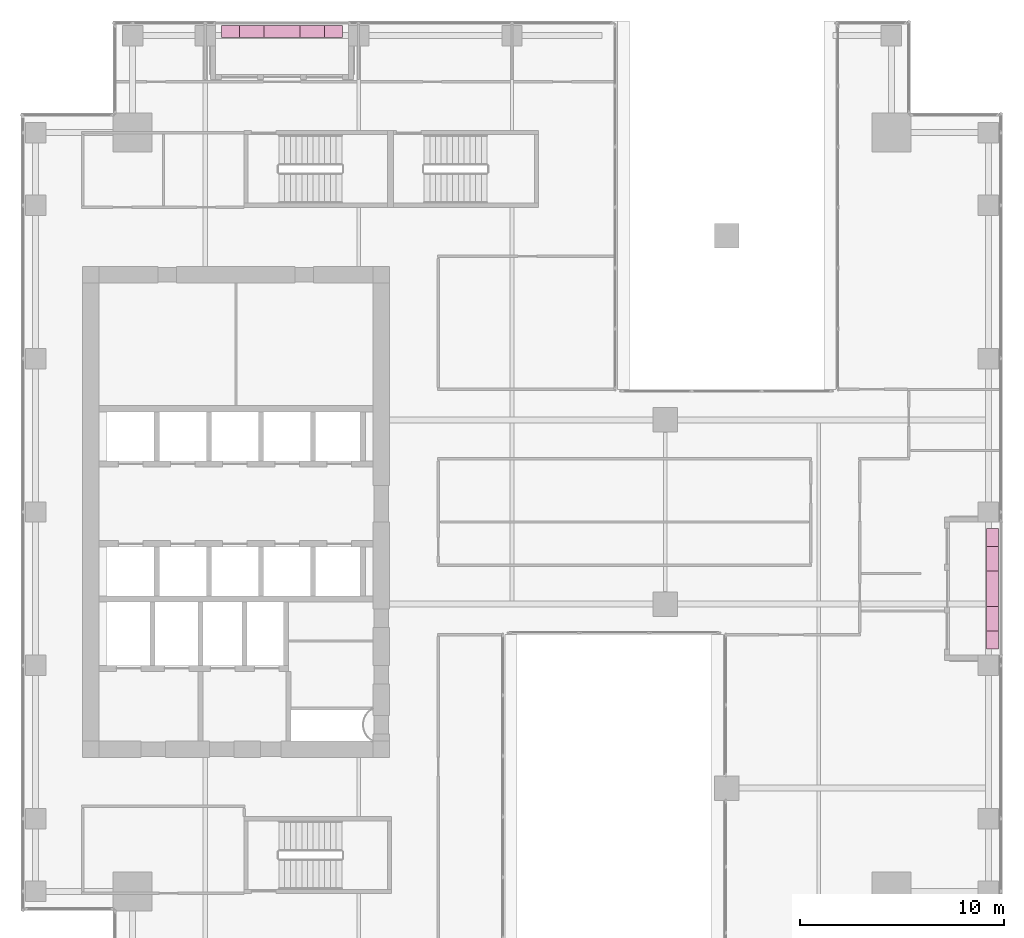
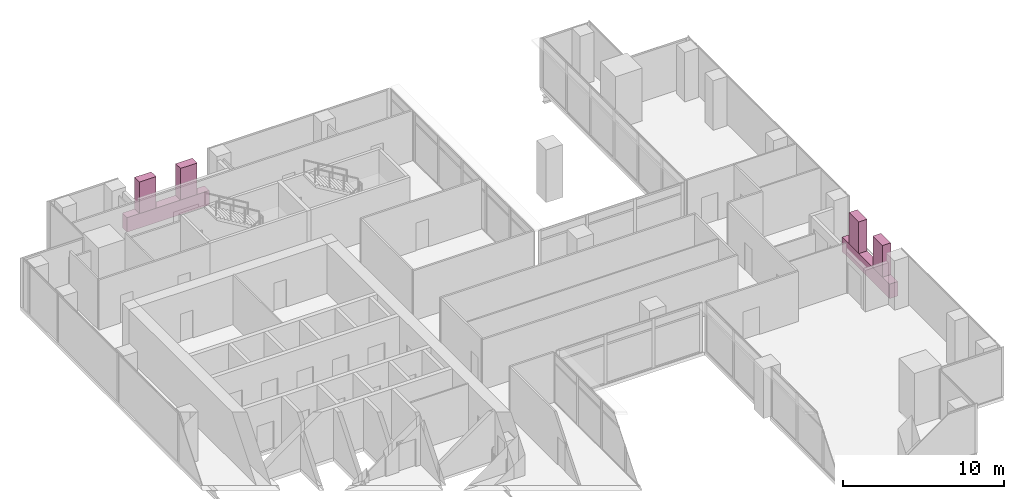
# One storey, part 38 of 38: 6 furnishings.
"""IFC4 building model written with IfcOpenShell, lengths in metres."""

from ifc_helpers import new_model, si_unit, direction, frame, origin, origin_2d, place, context, subcontext, project, spatial, rectangle, extrude, source, transform, mapped, material, type_object, element, save


model = new_model("IFC4")

# Units and contexts
model_context = context("Model", 3, precision=1e-05, world=origin(), true_north=direction((0.0, 1.0)))
body_context = subcontext(model_context, "Body", "Model", "MODEL_VIEW")
ifc_project = project(units=[si_unit("LENGTHUNIT", "METRE"), si_unit("AREAUNIT", "SQUARE_METRE"), si_unit("VOLUMEUNIT", "CUBIC_METRE"), si_unit("PLANEANGLEUNIT", "RADIAN"), si_unit("MASSUNIT", "GRAM", prefix="KILO")], contexts=[model_context])

# Site, building, storey
site_placement = place(None, origin())
site = spatial("IfcSite", under=ifc_project, at=site_placement, CompositionType="ELEMENT")
building_placement = place(site_placement, origin())
building = spatial("IfcBuilding", under=site, at=building_placement, Name="Khomas Fold Tower", CompositionType="ELEMENT")
storey_placement = place(building_placement, frame((0.0, 0.0, 172.699951171875)))
storey = spatial("IfcBuildingStorey", under=building, at=storey_placement, Name="L37", CompositionType="ELEMENT", Elevation=172.699951171875)

# Furnishings
ifc_material_1 = material(Name="Precast concrete C40/50", Category="concrete")
furnishing_element_type_1 = type_object("IfcFurnishingElementType", Name="BL-Structural planter box", material=ifc_material_1)
shared_shape_1 = source(origin(), body_context, "Body", "SweptSolid", [
    extrude(rectangle(XDim=5.89990234375, YDim=0.60009765625, at=origin_2d()), origin(), (0.0, 0.0, 1.0), 1.10009765625),
])
for number, where, z_axis, x_axis, name in (
    (1, (15.75, 50.5, -0.044921875), (0.0, 0.0, 1.0), (1.0, 0.0, 0.0), "PLANTER BAL-L37-N1"),
    (2, (50.5, 23.25, -0.044921875), (0.0, 0.0, 1.0), (0.0, 1.0, 0.0), "PLANTER BAL-L37-E2"),
):
    element("IfcFurnishingElement", number, at=place(storey_placement, frame(where, z_axis=z_axis, x_axis=x_axis)), inside=storey, type_object=furnishing_element_type_1, Name=name, context=body_context, shape_type="MappedRepresentation", body=[
        mapped(shared_shape_1, transform((0.0, 0.0, 0.0))),
    ])
ifc_material_2 = material(Name="Planting")
furnishing_element_type_2 = type_object("IfcFurnishingElementType", Name="BL-Tree Wild olive", material=ifc_material_2)
shared_shape_2 = source(origin(), body_context, "Body", "SweptSolid", [
    extrude(rectangle(XDim=1.199951171875, YDim=0.60009765625, at=origin_2d()), origin(), (0.0, 0.0, 1.0), 2.39501953125),
])
furnishing_1_placement = place(storey_placement, frame((14.27490234375, 50.5, 1.054931640625), z_axis=(0.0, 0.0, 1.0), x_axis=(1.0, 0.0, 0.0)))
element("IfcFurnishingElement", 3, at=furnishing_1_placement, inside=storey, type_object=furnishing_element_type_2, Name="PLANTER (TREE) Wild olive BAL-L37-N1-1", context=body_context, shape_type="MappedRepresentation", body=[
    mapped(shared_shape_2, transform((0.0, 0.0, 0.0))),
])
ifc_material_3 = material(Name="Planting")
furnishing_element_type_3 = type_object("IfcFurnishingElementType", Name="BL-Tree Shepherd's tree", material=ifc_material_3)
furnishing_2_placement = place(storey_placement, frame((17.22509765625, 50.5, 1.054931640625), z_axis=(0.0, 0.0, 1.0), x_axis=(1.0, 0.0, 0.0)))
element("IfcFurnishingElement", 4, at=furnishing_2_placement, inside=storey, type_object=furnishing_element_type_3, Name="PLANTER (TREE) Shepherd's tree BAL-L37-N1-2", context=body_context, shape_type="MappedRepresentation", body=[
    mapped(shared_shape_2, transform((0.0, 0.0, 0.0))),
])
furnishing_3_placement = place(storey_placement, frame((50.5, 21.77490234375, 1.054931640625), z_axis=(0.0, 0.0, 1.0), x_axis=(0.0, 1.0, 0.0)))
element("IfcFurnishingElement", 5, at=furnishing_3_placement, inside=storey, type_object=furnishing_element_type_2, Name="PLANTER (TREE) Wild olive BAL-L37-E2-1", context=body_context, shape_type="MappedRepresentation", body=[
    mapped(shared_shape_2, transform((0.0, 0.0, 0.0))),
])
furnishing_4_placement = place(storey_placement, frame((50.5, 24.72509765625, 1.054931640625), z_axis=(0.0, 0.0, 1.0), x_axis=(0.0, 1.0, 0.0)))
element("IfcFurnishingElement", 6, at=furnishing_4_placement, inside=storey, type_object=furnishing_element_type_3, Name="PLANTER (TREE) Shepherd's tree BAL-L37-E2-2", context=body_context, shape_type="MappedRepresentation", body=[
    mapped(shared_shape_2, transform((0.0, 0.0, 0.0))),
])

save(model, "model.ifc")
